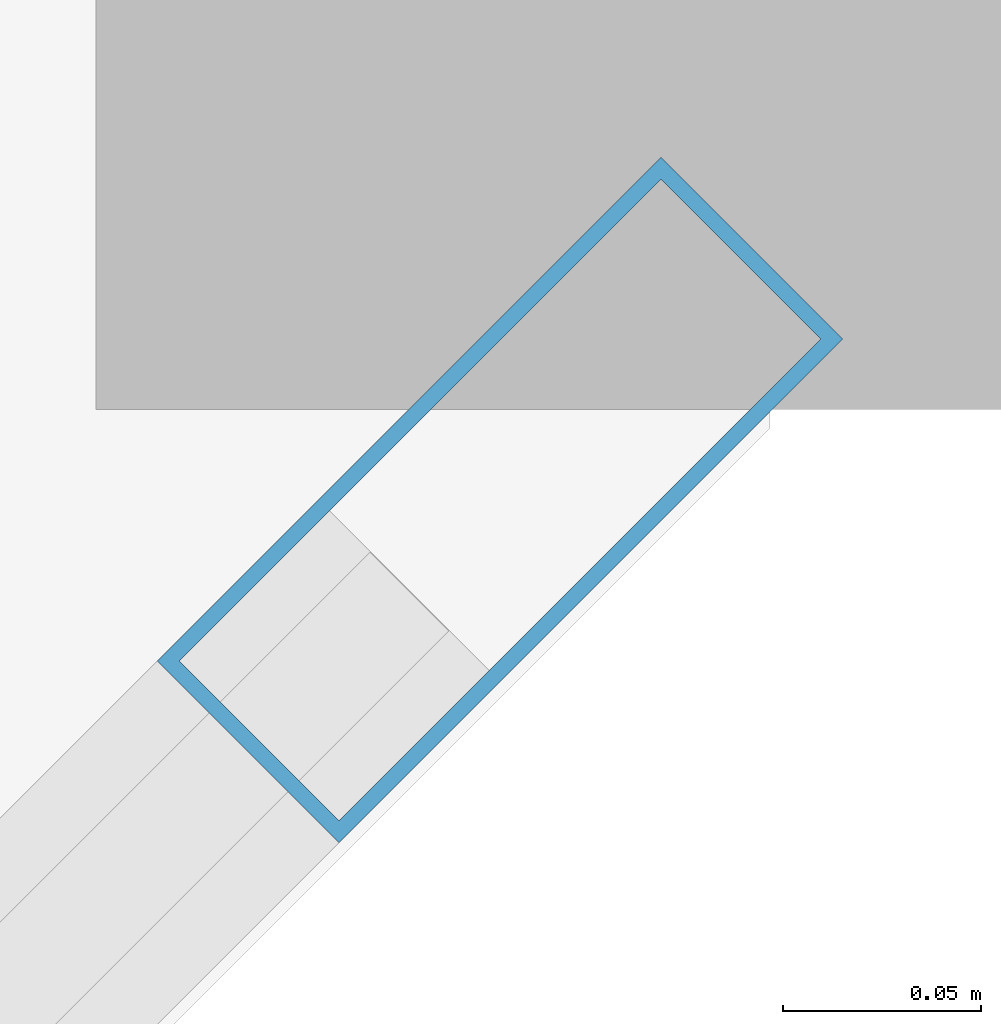
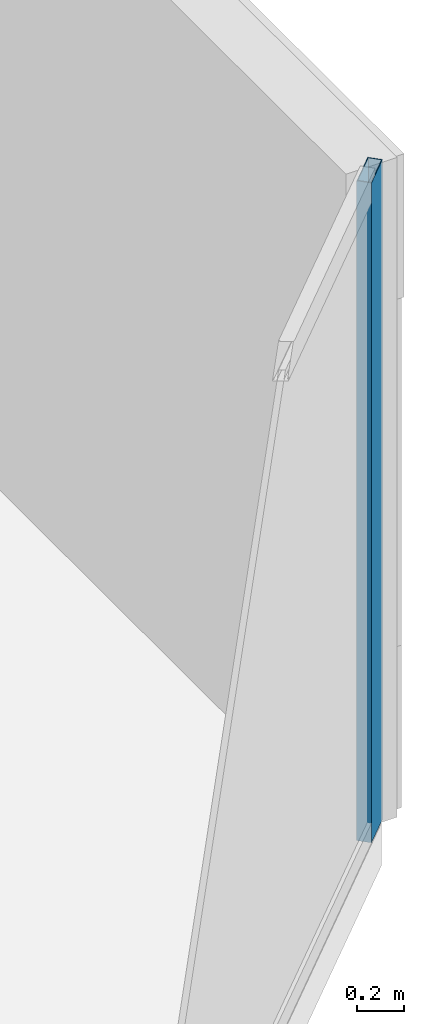
# One storey, part 21 of 39: 1 member, 1 element without a shape of its own.
"""IFC4 building model written with IfcOpenShell, lengths in metres."""

from ifc_helpers import new_model, si_unit, direction, frame, origin, origin_2d, place, context, subcontext, project, spatial, hollow_rectangle, extrude, material, layer, layer_set, material_profile, profile_set, type_object, element, aggregate, save


model = new_model("IFC4")

# Units and contexts
model_context = context("Model", 3, precision=1e-05, world=origin(), true_north=direction((0.0, 1.0)))
body_context = subcontext(model_context, "Body", "Model", "MODEL_VIEW")
ifc_project = project(units=[si_unit("LENGTHUNIT", "METRE"), si_unit("AREAUNIT", "SQUARE_METRE"), si_unit("VOLUMEUNIT", "CUBIC_METRE"), si_unit("PLANEANGLEUNIT", "RADIAN"), si_unit("MASSUNIT", "GRAM", prefix="KILO")], contexts=[model_context])

# Site, building, storey
site_placement = place(None, origin())
site = spatial("IfcSite", under=ifc_project, at=site_placement, CompositionType="ELEMENT")
building_placement = place(site_placement, origin())
building = spatial("IfcBuilding", under=site, at=building_placement, Name="Tanjung Sevakor Pilgrim Tower", CompositionType="ELEMENT")
storey_placement = place(building_placement, frame((0.0, 0.0, 108.570068359375)))
storey = spatial("IfcBuildingStorey", under=building, at=storey_placement, Name="L30", CompositionType="ELEMENT", Elevation=108.570068359375)

# Curtain wall, member
ifc_material_1 = material(Name="Aluminium 6063-T6 and Low-E Glass", Category="aluminium")
ifc_layer = layer(ifc_material_1, 0.179931640625)
ifc_layer_set = layer_set([ifc_layer], Name="CW-SYS-CHAM")
curtain_wall_type = type_object("IfcCurtainWallType", Name="CW-SYS-CHAM", PredefinedType="NOTDEFINED", material=ifc_layer_set)
curtain_wall_placement = place(storey_placement, origin())
curtain_wall = element("IfcCurtainWall", 1, at=curtain_wall_placement, inside=storey, type_object=curtain_wall_type, Name="L30 Curtain Wall CW-CHM-L30-MAIN-15", PredefinedType="NOTDEFINED")
ifc_material_2 = material(Name="Aluminium 6063-T6", Category="aluminium")
ifc_material_profile = material_profile(ifc_material_2, hollow_rectangle(XDim=0.06494140625, YDim=0.179931640625, WallThickness=0.00390625, at=origin_2d()))
ifc_profile_set = profile_set([ifc_material_profile], Name="Aluminium 6063-T6")
member_type = type_object("IfcMemberType", Name="TYPE-CWM-1", PredefinedType="MULLION", material=ifc_profile_set)
member_placement = place(storey_placement, frame((100.251953125, 13.828857421875, 0.0), z_axis=(0.0, 0.0, 1.0), x_axis=(-0.707106781187, 0.707106781187, 0.0)))
member = element("IfcMember", 2, at=member_placement, type_object=member_type, Name="CW-CHM mullion 2", PredefinedType="MULLION", context=body_context, shape_type="SweptSolid", body=[
    extrude(hollow_rectangle(XDim=0.06494140625, YDim=0.179931640625, WallThickness=0.00390625, at=origin_2d()), origin(), (0.0, 0.0, 1.0), 3.409912109375),
])
aggregate(curtain_wall, [member])

save(model, "model.ifc")
